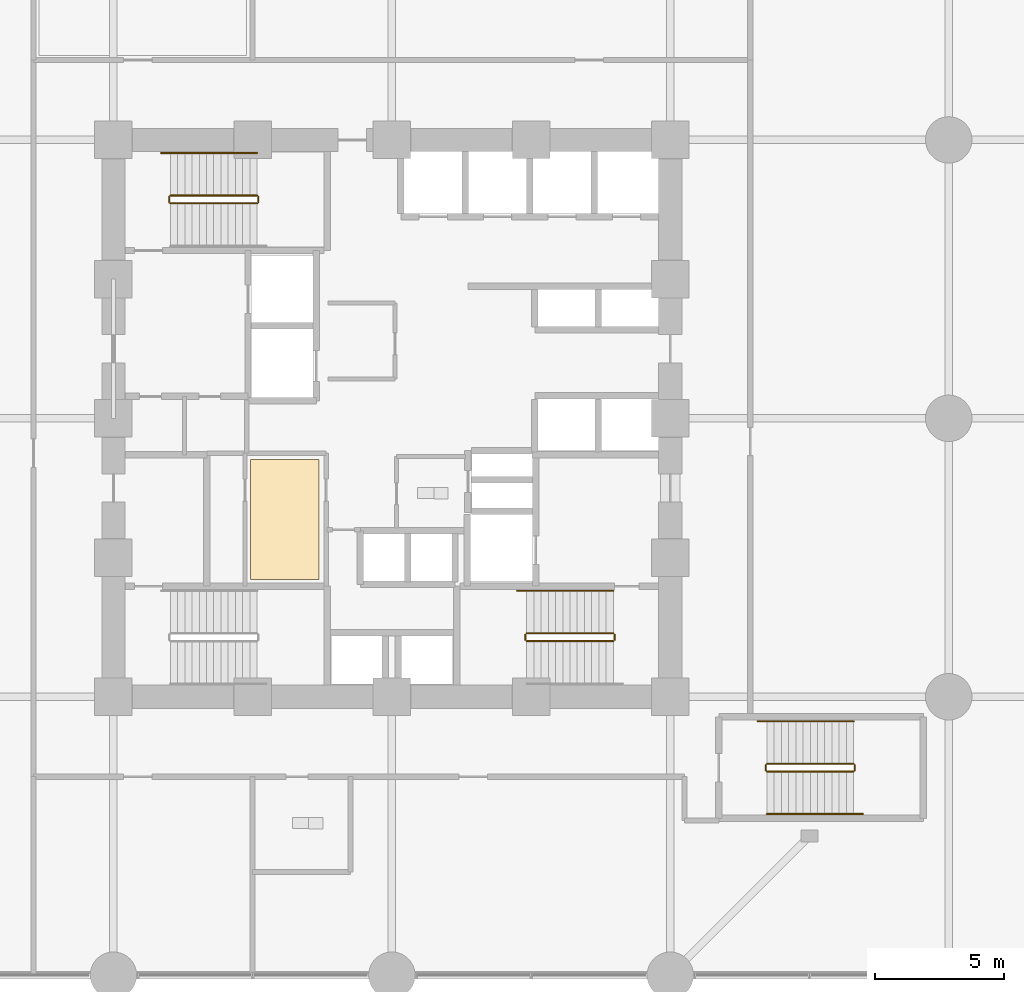
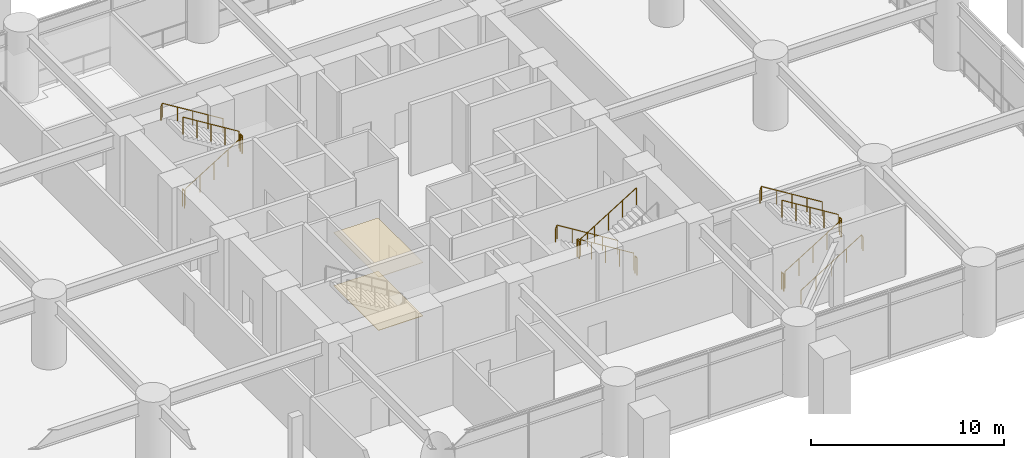
# One storey, part 29 of 31: 16 railings, 2 coverings.
"""IFC4 building model written with IfcOpenShell, lengths in metres."""

import ifcopenshell
import ifcopenshell.guid

model = None  # the IFC model being written
_history = None  # IfcOwnerHistory: only IFC2X3 demands one
_inside = {}  # id of a spatial element -> (the spatial element, [elements in it])
_under = {}  # id of a project, library or spatial element -> (it, [spatial elements below it])
_declared = {}  # id of a project -> (the project, [libraries it declares])
_typed = {}  # id of a type object -> (the type object, [elements of that type])
_made_of = {}  # id of a material, layer set ... -> (it, [elements and type objects made of it])


def new_model(schema):
    """Start an empty IFC model of exactly this schema.

    Asked for "IFC4X3", IfcOpenShell would pick the latest addendum, in which some entities
    have other attributes; the version numbers below select the first issue.
    IFC2X3 requires an IfcOwnerHistory on every rooted entity: one is made here for all.
    """
    global model, _history
    if schema == "IFC4X3":
        model = ifcopenshell.file(schema_version=(4, 3, 0, 0))
    else:
        model = ifcopenshell.file(schema=schema)
    _inside.clear()
    _under.clear()
    _declared.clear()
    _typed.clear()
    _made_of.clear()
    _history = None
    if model.schema == "IFC2X3":
        org = make("IfcOrganization", Name="unknown")
        user = make(
            "IfcPersonAndOrganization",
            ThePerson=make("IfcPerson", FamilyName="unknown"),
            TheOrganization=org,
        )
        app = make(
            "IfcApplication",
            ApplicationDeveloper=org,
            Version="unknown",
            ApplicationFullName="unknown",
            ApplicationIdentifier="unknown",
        )
        _history = make(
            "IfcOwnerHistory",
            OwningUser=user,
            OwningApplication=app,
            ChangeAction="ADDED",
            CreationDate=0,
        )
    return model


def make(cls, **values):
    """One entity of the class cls with the attributes given. An attribute that is None is left unset."""
    return model.create_entity(
        cls, **{name: value for name, value in values.items() if value is not None}
    )


def rooted(cls, **values):
    """An entity with a GlobalId (a new one), such as an element, a storey or a relation."""
    return make(cls, GlobalId=ifcopenshell.guid.new(), OwnerHistory=_history, **values)


def si_unit(unit_type, name, prefix=None):
    """IfcSIUnit, for example si_unit("LENGTHUNIT", "METRE", prefix="MILLI")."""
    return make("IfcSIUnit", UnitType=unit_type, Prefix=prefix, Name=name)


def assignment(units):
    """IfcUnitAssignment: the units of a project."""
    return None if units is None else make("IfcUnitAssignment", Units=units)


def point(xyz):
    """IfcCartesianPoint."""
    return None if xyz is None else make("IfcCartesianPoint", Coordinates=xyz)


def direction(xyz):
    """IfcDirection."""
    return None if xyz is None else make("IfcDirection", DirectionRatios=xyz)


def frame(location, z_axis=None, x_axis=None):
    """IfcAxis2Placement3D, a coordinate frame: its origin and axes. An axis left out is left unset."""
    return make(
        "IfcAxis2Placement3D",
        Location=point(location),
        Axis=direction(z_axis),
        RefDirection=direction(x_axis),
    )


def frame_2d(location, x_axis=None):
    """IfcAxis2Placement2D, a coordinate frame in the plane: its origin and x axis."""
    return make(
        "IfcAxis2Placement2D", Location=point(location), RefDirection=direction(x_axis)
    )


def origin():
    """The frame at (0, 0, 0) with its axes left unset."""
    return frame((0.0, 0.0, 0.0))


def origin_2d():
    """The frame at (0, 0) in the plane with its x axis left unset."""
    return frame_2d((0.0, 0.0))


def place(relative_to, where):
    """IfcLocalPlacement: puts the frame where relative to a parent placement (None: the world)."""
    return make(
        "IfcLocalPlacement", PlacementRelTo=relative_to, RelativePlacement=where
    )


def context(
    kind, dimensions, precision=None, world=None, true_north=None, identifier=None
):
    """IfcGeometricRepresentationContext, for example the 3D "Model" context."""
    return make(
        "IfcGeometricRepresentationContext",
        ContextIdentifier=identifier,
        ContextType=kind,
        CoordinateSpaceDimension=dimensions,
        Precision=precision,
        WorldCoordinateSystem=world,
        TrueNorth=true_north,
    )


def subcontext(parent, identifier, kind, view, scale=None):
    """IfcGeometricRepresentationSubContext, for example "Body" below "Model"."""
    return make(
        "IfcGeometricRepresentationSubContext",
        ContextIdentifier=identifier,
        ContextType=kind,
        ParentContext=parent,
        TargetScale=scale,
        TargetView=view,
    )


def project(units=None, contexts=None):
    """IfcProject with its units and contexts."""
    return rooted(
        "IfcProject",
        Name="project",
        RepresentationContexts=contexts,
        UnitsInContext=assignment(units),
    )


def spatial(cls, under=None, at=None, **own):
    """A site, building, storey or space (cls), placed at a placement, below another one or the project."""
    s = rooted(cls, ObjectPlacement=at, **own)
    if under is not None:
        _under.setdefault(under.id(), (under, []))[1].append(s)
    return s


def polyline(points):
    """IfcPolyline through the points."""
    return make("IfcPolyline", Points=[point(p) for p in points])


def profile(cls, at=None, kind="AREA", **sizes):
    """A parametric profile (cls). Its sizes go by their IFC names, for example OverallWidth=200.0."""
    return make(cls, ProfileType=kind, Position=at, **sizes)


def circle(**sizes):
    """IfcCircleProfileDef."""
    return profile("IfcCircleProfileDef", **sizes)


def outline(outer, holes=None, kind="AREA"):
    """IfcArbitraryClosedProfileDef: a profile drawn as a closed curve; with holes, ...WithVoids."""
    if holes is None:
        return make("IfcArbitraryClosedProfileDef", ProfileType=kind, OuterCurve=outer)
    return make(
        "IfcArbitraryProfileDefWithVoids",
        ProfileType=kind,
        OuterCurve=outer,
        InnerCurves=holes,
    )


def extrude(swept, where, along, depth):
    """IfcExtrudedAreaSolid: the profile swept, set in the frame where, extruded along a direction by depth."""
    return make(
        "IfcExtrudedAreaSolid",
        SweptArea=swept,
        Position=where,
        ExtrudedDirection=direction(along),
        Depth=depth,
    )


def shape(context_of_items, identifier, shape_type, items):
    """IfcShapeRepresentation: the items that make up one representation, for example the "Body"."""
    return make(
        "IfcShapeRepresentation",
        ContextOfItems=context_of_items,
        RepresentationIdentifier=identifier,
        RepresentationType=shape_type,
        Items=items,
    )


def material(Name=None, Category=None):
    """IfcMaterial."""
    return make("IfcMaterial", Name=Name, Category=Category)


def layer(
    of_material, thickness, ventilated=None, Name=None, Category=None, Priority=None
):
    """IfcMaterialLayer: one layer of a wall or slab, of a material (None: an air gap)."""
    return make(
        "IfcMaterialLayer",
        Material=of_material,
        LayerThickness=thickness,
        IsVentilated=ventilated,
        Name=Name,
        Category=Category,
        Priority=Priority,
    )


def layer_set(layers, Name=None):
    """IfcMaterialLayerSet."""
    return make("IfcMaterialLayerSet", MaterialLayers=layers, LayerSetName=Name)


def made_of(thing, what):
    """Note that an element or type object is made of a material, layer set ...; save() writes the relation."""
    if what is not None:
        _made_of.setdefault(what.id(), (what, []))[1].append(thing)
    return thing


def type_object(cls, material=None, **own):
    """A type object (cls), such as IfcWallType, which elements share."""
    return made_of(rooted(cls, **own), material)


def element(
    cls,
    number,
    at=None,
    inside=None,
    cuts=None,
    type_object=None,
    material=None,
    context=None,
    identifier="Body",
    shape_type=None,
    held_by="IfcProductDefinitionShape",
    body=None,
    shapes=None,
    **own,
):
    """One element of the class cls, such as IfcWall. Its Tag is "e" and its number.

    at: its placement. inside: the storey or other place that contains it. cuts: it is an
    opening in that element (IfcRelVoidsElement). A single representation is given by context,
    identifier, shape_type and body (its items); several are given by shapes. held_by: the class
    of the entity that holds the representations. save() writes the other relations.
    """
    e = rooted(cls, Tag="e%d" % number, ObjectPlacement=at, **own)
    if body is not None:
        shapes = [shape(context, identifier, shape_type, body)]
    if shapes is not None:
        e.Representation = make(held_by, Representations=shapes)
    if inside is not None:
        _inside.setdefault(inside.id(), (inside, []))[1].append(e)
    if cuts is not None:
        rooted(
            "IfcRelVoidsElement", RelatingBuildingElement=cuts, RelatedOpeningElement=e
        )
    if type_object is not None:
        _typed.setdefault(type_object.id(), (type_object, []))[1].append(e)
    return made_of(e, material)


def aggregate(whole, parts):
    """IfcRelAggregates: a whole, such as a stair, and the parts it consists of."""
    return rooted("IfcRelAggregates", RelatingObject=whole, RelatedObjects=parts)


def save(model, path):
    """Write the relations noted so far, then the file.

    IfcRelAggregates (storeys below a building ...), IfcRelContainedInSpatialStructure (elements
    in a storey), IfcRelDefinesByType, IfcRelAssociatesMaterial and IfcRelDeclares: one each for
    every whole, place, type object, material and project.
    """
    for whole, parts in _under.values():
        aggregate(whole, parts)
    for where, things in _inside.values():
        rooted(
            "IfcRelContainedInSpatialStructure",
            RelatedElements=things,
            RelatingStructure=where,
        )
    for kind, things in _typed.values():
        rooted("IfcRelDefinesByType", RelatedObjects=things, RelatingType=kind)
    for what, things in _made_of.values():
        rooted("IfcRelAssociatesMaterial", RelatedObjects=things, RelatingMaterial=what)
    for by, libraries in _declared.values():
        rooted("IfcRelDeclares", RelatingContext=by, RelatedDefinitions=libraries)
    model.write(path)


model = new_model("IFC4")

# Units and contexts
model_context = context("Model", 3, precision=1e-05, world=origin(), true_north=direction((0.0, 1.0)))
body_context = subcontext(model_context, "Body", "Model", "MODEL_VIEW")
ifc_project = project(units=[si_unit("LENGTHUNIT", "METRE"), si_unit("AREAUNIT", "SQUARE_METRE"), si_unit("VOLUMEUNIT", "CUBIC_METRE"), si_unit("PLANEANGLEUNIT", "RADIAN"), si_unit("MASSUNIT", "GRAM", prefix="KILO")], contexts=[model_context])

# Site, building, storey
site_placement = place(None, origin())
site = spatial("IfcSite", under=ifc_project, at=site_placement, CompositionType="ELEMENT")
building_placement = place(site_placement, origin())
building = spatial("IfcBuilding", under=site, at=building_placement, Name="Surkhivell Harbour Commons", CompositionType="ELEMENT")
storey_placement = place(building_placement, frame((0.0, 0.0, 4.5)))
storey = spatial("IfcBuildingStorey", under=building, at=storey_placement, Name="L01", CompositionType="ELEMENT", Elevation=4.5)

# Coverings
ifc_material_1 = material(Name="Perforated acoustic mineral-fibre ceiling tile", Category="other")
ifc_layer_1 = layer(ifc_material_1, 0.02490234375)
ifc_layer_set_1 = layer_set([ifc_layer_1], Name="Perforated acoustic mineral-fibre ceiling tile")
covering_type_1 = type_object("IfcCoveringType", Name="COV-CEIL-AC", PredefinedType="CEILING", material=ifc_layer_set_1)
covering_1_placement = place(storey_placement, frame((0.0, 0.0, 3.3740234375)))
element("IfcCovering", 1, at=covering_1_placement, inside=storey, type_object=covering_type_1, Name="L01 Suspended Acoustic Ceiling 1", PredefinedType="CEILING", context=body_context, shape_type="SweptSolid", body=[
    extrude(outline(polyline([(-5.47998046875, -6.260009765625), (-2.820068359375, -6.260009765625), (-2.820068359375, -1.60009765625), (-5.47998046875, -1.60009765625), (-5.47998046875, -6.260009765625)])), origin(), (0.0, 0.0, 1.0), 0.02490234375),
])
ifc_material_2 = material(Name="Honed terrazzo and porcelain floor finish", Category="masonry")
ifc_layer_2 = layer(ifc_material_2, 0.02490234375)
ifc_layer_set_2 = layer_set([ifc_layer_2], Name="Honed terrazzo and porcelain floor finish")
covering_type_2 = type_object("IfcCoveringType", Name="COV-FLR-TER", PredefinedType="FLOORING", material=ifc_layer_set_2)
covering_2_placement = place(storey_placement, origin())
element("IfcCovering", 2, at=covering_2_placement, inside=storey, type_object=covering_type_2, Name="L01 Interior Floor Finish 1", PredefinedType="FLOORING", context=body_context, shape_type="SweptSolid", body=[
    extrude(outline(polyline([(-5.47998046875, -6.260009765625), (-2.820068359375, -6.260009765625), (-2.820068359375, -1.60009765625), (-5.47998046875, -1.60009765625), (-5.47998046875, -6.260009765625)])), origin(), (0.0, 0.0, 1.0), 0.02490234375),
])

# Railings
ifc_material_3 = material(Name="Galvanised and painted steel S355 guard rail", Category="steel")
railing_type_1 = type_object("IfcRailingType", Name="RAL-ST-GRD1100", PredefinedType="GUARDRAIL", material=ifc_material_3)
railing_1_placement = place(storey_placement, frame((-8.590087890625, 8.340087890625, 0.173095703125)))
element("IfcRailing", 3, at=railing_1_placement, inside=storey, type_object=railing_type_1, Name="L01 ST1 stair guard 1", PredefinedType="GUARDRAIL", context=body_context, shape_type="SweptSolid", body=[
    extrude(circle(Radius=0.02392578125, at=origin_2d()), frame((0.0, 0.0, 1.076171875), z_axis=(0.850623216509, 0.0, 0.525775754039), x_axis=(0.0, 1.0, 0.0)), (0.0, 0.0, 1.0), 3.9501953125),
    extrude(circle(Radius=0.02099609375, at=origin_2d()), origin(), (0.0, 0.0, 1.0), 1.052001953125),
    extrude(circle(Radius=0.02099609375, at=origin_2d()), frame((0.840087890625, 0.0, 0.519287109375)), (0.0, 0.0, 1.0), 1.052001953125),
    extrude(circle(Radius=0.02099609375, at=origin_2d()), frame((1.68017578125, 0.0, 1.03857421875)), (0.0, 0.0, 1.0), 1.052001953125),
    extrude(circle(Radius=0.02099609375, at=origin_2d()), frame((2.52001953125, 0.0, 1.5576171875)), (0.0, 0.0, 1.0), 1.052001953125),
    extrude(circle(Radius=0.02099609375, at=origin_2d()), frame((3.360107421875, 0.0, 2.076904296875)), (0.0, 0.0, 1.0), 1.052001953125),
])
railing_2_placement = place(storey_placement, frame((-5.179931640625, 8.389892578125, 2.25)))
element("IfcRailing", 4, at=railing_2_placement, inside=storey, type_object=railing_type_1, Name="L01 ST1 stair guard 2", PredefinedType="GUARDRAIL", context=body_context, shape_type="SweptSolid", body=[
    extrude(circle(Radius=0.02392578125, at=origin_2d()), frame((0.0, 0.0, 1.076171875), z_axis=(0.0, 1.0, 0.0), x_axis=(-1.0, 0.0, 0.0)), (0.0, 0.0, 1.0), 0.2001953125),
    extrude(circle(Radius=0.02099609375, at=origin_2d()), origin(), (0.0, 0.0, 1.0), 1.052001953125),
    extrude(circle(Radius=0.02099609375, at=origin_2d()), frame((0.0, 0.2001953125, 0.0)), (0.0, 0.0, 1.0), 1.052001953125),
])
railing_3_placement = place(storey_placement, frame((-5.22998046875, 8.639892578125, 2.423095703125)))
element("IfcRailing", 5, at=railing_3_placement, inside=storey, type_object=railing_type_1, Name="L01 ST1 stair guard 3", PredefinedType="GUARDRAIL", context=body_context, shape_type="SweptSolid", body=[
    extrude(circle(Radius=0.02392578125, at=origin_2d()), frame((0.0, 0.0, 1.076171875), z_axis=(-0.850623216509, 0.0, 0.525775754039), x_axis=(0.0, -1.0, 0.0)), (0.0, 0.0, 1.0), 3.9501953125),
    extrude(circle(Radius=0.02099609375, at=origin_2d()), origin(), (0.0, 0.0, 1.0), 1.052001953125),
    extrude(circle(Radius=0.02099609375, at=origin_2d()), frame((-0.840087890625, 0.0, 0.519287109375)), (0.0, 0.0, 1.0), 1.052001953125),
    extrude(circle(Radius=0.02099609375, at=origin_2d()), frame((-1.68017578125, 0.0, 1.03857421875)), (0.0, 0.0, 1.0), 1.052001953125),
    extrude(circle(Radius=0.02099609375, at=origin_2d()), frame((-2.52001953125, 0.0, 1.5576171875)), (0.0, 0.0, 1.0), 1.052001953125),
    extrude(circle(Radius=0.02099609375, at=origin_2d()), frame((-3.360107421875, 0.0, 2.076904296875)), (0.0, 0.0, 1.0), 1.052001953125),
])
railing_4_placement = place(storey_placement, frame((-8.639892578125, 8.389892578125, 0.0)))
element("IfcRailing", 6, at=railing_4_placement, inside=storey, type_object=railing_type_1, Name="L01 ST1 stair guard 4", PredefinedType="GUARDRAIL", context=body_context, shape_type="SweptSolid", body=[
    extrude(circle(Radius=0.02392578125, at=origin_2d()), frame((0.0, 0.0, 1.076171875), z_axis=(0.0, 1.0, 0.0), x_axis=(-1.0, 0.0, 0.0)), (0.0, 0.0, 1.0), 0.2001953125),
    extrude(circle(Radius=0.02099609375, at=origin_2d()), origin(), (0.0, 0.0, 1.0), 1.052001953125),
    extrude(circle(Radius=0.02099609375, at=origin_2d()), frame((0.0, 0.2001953125, 0.0)), (0.0, 0.0, 1.0), 1.052001953125),
])
railing_5_placement = place(storey_placement, frame((8.590087890625, -8.340087890625, 0.173095703125)))
element("IfcRailing", 7, at=railing_5_placement, inside=storey, type_object=railing_type_1, Name="L01 ST2 stair guard 1", PredefinedType="GUARDRAIL", context=body_context, shape_type="SweptSolid", body=[
    extrude(circle(Radius=0.02392578125, at=origin_2d()), frame((0.0, 0.0, 1.076171875), z_axis=(-0.850623216509, 0.0, 0.525775754039), x_axis=(0.0, -1.0, 0.0)), (0.0, 0.0, 1.0), 3.9501953125),
    extrude(circle(Radius=0.02099609375, at=origin_2d()), origin(), (0.0, 0.0, 1.0), 1.052001953125),
    extrude(circle(Radius=0.02099609375, at=origin_2d()), frame((-0.840087890625, 0.0, 0.519287109375)), (0.0, 0.0, 1.0), 1.052001953125),
    extrude(circle(Radius=0.02099609375, at=origin_2d()), frame((-1.68017578125, 0.0, 1.03857421875)), (0.0, 0.0, 1.0), 1.052001953125),
    extrude(circle(Radius=0.02099609375, at=origin_2d()), frame((-2.52001953125, 0.0, 1.5576171875)), (0.0, 0.0, 1.0), 1.052001953125),
    extrude(circle(Radius=0.02099609375, at=origin_2d()), frame((-3.360107421875, 0.0, 2.076904296875)), (0.0, 0.0, 1.0), 1.052001953125),
])
railing_6_placement = place(storey_placement, frame((5.179931640625, -8.389892578125, 2.25)))
element("IfcRailing", 8, at=railing_6_placement, inside=storey, type_object=railing_type_1, Name="L01 ST2 stair guard 2", PredefinedType="GUARDRAIL", context=body_context, shape_type="SweptSolid", body=[
    extrude(circle(Radius=0.02392578125, at=origin_2d()), frame((0.0, 0.0, 1.076171875), z_axis=(0.0, -1.0, 0.0), x_axis=(1.0, 0.0, 0.0)), (0.0, 0.0, 1.0), 0.2001953125),
    extrude(circle(Radius=0.02099609375, at=origin_2d()), origin(), (0.0, 0.0, 1.0), 1.052001953125),
    extrude(circle(Radius=0.02099609375, at=origin_2d()), frame((0.0, -0.2001953125, 0.0)), (0.0, 0.0, 1.0), 1.052001953125),
])
railing_7_placement = place(storey_placement, frame((5.22998046875, -8.639892578125, 2.423095703125)))
element("IfcRailing", 9, at=railing_7_placement, inside=storey, type_object=railing_type_1, Name="L01 ST2 stair guard 3", PredefinedType="GUARDRAIL", context=body_context, shape_type="SweptSolid", body=[
    extrude(circle(Radius=0.02392578125, at=origin_2d()), frame((0.0, 0.0, 1.076171875), z_axis=(0.850623216509, 0.0, 0.525775754039), x_axis=(0.0, 1.0, 0.0)), (0.0, 0.0, 1.0), 3.9501953125),
    extrude(circle(Radius=0.02099609375, at=origin_2d()), origin(), (0.0, 0.0, 1.0), 1.052001953125),
    extrude(circle(Radius=0.02099609375, at=origin_2d()), frame((0.840087890625, 0.0, 0.519287109375)), (0.0, 0.0, 1.0), 1.052001953125),
    extrude(circle(Radius=0.02099609375, at=origin_2d()), frame((1.68017578125, 0.0, 1.03857421875)), (0.0, 0.0, 1.0), 1.052001953125),
    extrude(circle(Radius=0.02099609375, at=origin_2d()), frame((2.52001953125, 0.0, 1.5576171875)), (0.0, 0.0, 1.0), 1.052001953125),
    extrude(circle(Radius=0.02099609375, at=origin_2d()), frame((3.360107421875, 0.0, 2.076904296875)), (0.0, 0.0, 1.0), 1.052001953125),
])
railing_8_placement = place(storey_placement, frame((8.639892578125, -8.389892578125, 0.0)))
element("IfcRailing", 10, at=railing_8_placement, inside=storey, type_object=railing_type_1, Name="L01 ST2 stair guard 4", PredefinedType="GUARDRAIL", context=body_context, shape_type="SweptSolid", body=[
    extrude(circle(Radius=0.02392578125, at=origin_2d()), frame((0.0, 0.0, 1.076171875), z_axis=(0.0, -1.0, 0.0), x_axis=(1.0, 0.0, 0.0)), (0.0, 0.0, 1.0), 0.2001953125),
    extrude(circle(Radius=0.02099609375, at=origin_2d()), origin(), (0.0, 0.0, 1.0), 1.052001953125),
    extrude(circle(Radius=0.02099609375, at=origin_2d()), frame((0.0, -0.2001953125, 0.0)), (0.0, 0.0, 1.0), 1.052001953125),
])
railing_9_placement = place(storey_placement, frame((14.550048828125, -13.699951171875, 0.173095703125)))
element("IfcRailing", 11, at=railing_9_placement, inside=storey, type_object=railing_type_1, Name="L01 ST4 stair guard 1", PredefinedType="GUARDRAIL", context=body_context, shape_type="SweptSolid", body=[
    extrude(circle(Radius=0.02392578125, at=origin_2d()), frame((0.0, 0.0, 1.076171875), z_axis=(0.850606129759, 0.0, 0.525803396734), x_axis=(0.0, 1.0, 0.0)), (0.0, 0.0, 1.0), 3.949951171875),
    extrude(circle(Radius=0.02099609375, at=origin_2d()), origin(), (0.0, 0.0, 1.0), 1.052001953125),
    extrude(circle(Radius=0.02099609375, at=origin_2d()), frame((0.83984375, 0.0, 0.519287109375)), (0.0, 0.0, 1.0), 1.052001953125),
    extrude(circle(Radius=0.02099609375, at=origin_2d()), frame((1.679931640625, 0.0, 1.03857421875)), (0.0, 0.0, 1.0), 1.052001953125),
    extrude(circle(Radius=0.02099609375, at=origin_2d()), frame((2.52001953125, 0.0, 1.5576171875)), (0.0, 0.0, 1.0), 1.052001953125),
    extrude(circle(Radius=0.02099609375, at=origin_2d()), frame((3.35986328125, 0.0, 2.076904296875)), (0.0, 0.0, 1.0), 1.052001953125),
])
railing_10_placement = place(storey_placement, frame((17.9599609375, -13.64990234375, 2.25)))
element("IfcRailing", 12, at=railing_10_placement, inside=storey, type_object=railing_type_1, Name="L01 ST4 stair guard 2", PredefinedType="GUARDRAIL", context=body_context, shape_type="SweptSolid", body=[
    extrude(circle(Radius=0.02392578125, at=origin_2d()), frame((0.0, 0.0, 1.076171875), z_axis=(0.0, 1.0, 0.0), x_axis=(-1.0, 0.0, 0.0)), (0.0, 0.0, 1.0), 0.199951171875),
    extrude(circle(Radius=0.02099609375, at=origin_2d()), origin(), (0.0, 0.0, 1.0), 1.052001953125),
    extrude(circle(Radius=0.02099609375, at=origin_2d()), frame((0.0, 0.199951171875, 0.0)), (0.0, 0.0, 1.0), 1.052001953125),
])
railing_11_placement = place(storey_placement, frame((17.909912109375, -13.39990234375, 2.423095703125)))
element("IfcRailing", 13, at=railing_11_placement, inside=storey, type_object=railing_type_1, Name="L01 ST4 stair guard 3", PredefinedType="GUARDRAIL", context=body_context, shape_type="SweptSolid", body=[
    extrude(circle(Radius=0.02392578125, at=origin_2d()), frame((0.0, 0.0, 1.076171875), z_axis=(-0.850606129759, 0.0, 0.525803396734), x_axis=(0.0, -1.0, 0.0)), (0.0, 0.0, 1.0), 3.949951171875),
    extrude(circle(Radius=0.02099609375, at=origin_2d()), origin(), (0.0, 0.0, 1.0), 1.052001953125),
    extrude(circle(Radius=0.02099609375, at=origin_2d()), frame((-0.83984375, 0.0, 0.519287109375)), (0.0, 0.0, 1.0), 1.052001953125),
    extrude(circle(Radius=0.02099609375, at=origin_2d()), frame((-1.679931640625, 0.0, 1.03857421875)), (0.0, 0.0, 1.0), 1.052001953125),
    extrude(circle(Radius=0.02099609375, at=origin_2d()), frame((-2.52001953125, 0.0, 1.5576171875)), (0.0, 0.0, 1.0), 1.052001953125),
    extrude(circle(Radius=0.02099609375, at=origin_2d()), frame((-3.35986328125, 0.0, 2.076904296875)), (0.0, 0.0, 1.0), 1.052001953125),
])
railing_12_placement = place(storey_placement, frame((14.5, -13.64990234375, 0.0)))
element("IfcRailing", 14, at=railing_12_placement, inside=storey, type_object=railing_type_1, Name="L01 ST4 stair guard 4", PredefinedType="GUARDRAIL", context=body_context, shape_type="SweptSolid", body=[
    extrude(circle(Radius=0.02392578125, at=origin_2d()), frame((0.0, 0.0, 1.076171875), z_axis=(0.0, 1.0, 0.0), x_axis=(-1.0, 0.0, 0.0)), (0.0, 0.0, 1.0), 0.199951171875),
    extrude(circle(Radius=0.02099609375, at=origin_2d()), origin(), (0.0, 0.0, 1.0), 1.052001953125),
    extrude(circle(Radius=0.02099609375, at=origin_2d()), frame((0.0, 0.199951171875, 0.0)), (0.0, 0.0, 1.0), 1.052001953125),
])
ifc_material_4 = material(Name="Brushed stainless steel S355 handrail", Category="steel")
railing_type_2 = type_object("IfcRailingType", Name="RAL-ST-HND900", PredefinedType="HANDRAIL", material=ifc_material_4)
for number, where, name in (
    (15, (-5.22998046875, 10.2900390625, 2.423095703125), "L01 ST1 stair handrail 2"),
    (16, (8.590087890625, -6.68994140625, 0.173095703125), "L01 ST2 stair handrail 1"),
):
    element("IfcRailing", number, at=place(storey_placement, frame(where)), inside=storey, type_object=railing_type_2, Name=name, PredefinedType="HANDRAIL", context=body_context, shape_type="SweptSolid", body=[
        extrude(circle(Radius=0.02392578125, at=origin_2d()), frame((0.0, 0.0, 0.8759765625), z_axis=(-0.850622404505, 0.0, 0.525777067734), x_axis=(0.0, -1.0, 0.0)), (0.0, 0.0, 1.0), 4.279296875),
        extrude(circle(Radius=0.02392578125, at=origin_2d()), frame((-3.64013671875, 0.0, 3.1259765625), z_axis=(-0.418814502111, 0.0, -0.908071810388), x_axis=(0.0, -1.0, 0.0)), (0.0, 0.0, 1.0), 0.190673828125),
        extrude(circle(Radius=0.02099609375, at=origin_2d()), origin(), (0.0, 0.0, 1.0), 0.851806640625),
        extrude(circle(Radius=0.02099609375, at=origin_2d()), frame((-0.91015625, 0.0, 0.5625)), (0.0, 0.0, 1.0), 0.851806640625),
        extrude(circle(Radius=0.02099609375, at=origin_2d()), frame((-1.820068359375, 0.0, 1.125)), (0.0, 0.0, 1.0), 0.851806640625),
        extrude(circle(Radius=0.02099609375, at=origin_2d()), frame((-2.72998046875, 0.0, 1.6875)), (0.0, 0.0, 1.0), 0.851806640625),
        extrude(circle(Radius=0.02099609375, at=origin_2d()), frame((-3.64013671875, 0.0, 2.25)), (0.0, 0.0, 1.0), 0.851806640625),
        extrude(circle(Radius=0.02099609375, at=origin_2d()), frame((-3.719970703125, 0.0, 2.076904296875)), (0.0, 0.0, 1.0), 0.851806640625),
    ])
railing_13_placement = place(storey_placement, frame((14.550048828125, -15.35009765625, 0.173095703125)))
element("IfcRailing", 17, at=railing_13_placement, inside=storey, type_object=railing_type_2, Name="L01 ST4 stair handrail 1", PredefinedType="HANDRAIL", context=body_context, shape_type="SweptSolid", body=[
    extrude(circle(Radius=0.02392578125, at=origin_2d()), frame((0.0, 0.0, 0.8759765625), z_axis=(0.850606632239, 0.0, 0.525802583857), x_axis=(0.0, 1.0, 0.0)), (0.0, 0.0, 1.0), 4.279052734375),
    extrude(circle(Radius=0.02392578125, at=origin_2d()), frame((3.639892578125, 0.0, 3.1259765625), z_axis=(0.419869774861, 0.0, -0.907584360904), x_axis=(0.0, 1.0, 0.0)), (0.0, 0.0, 1.0), 0.190673828125),
    extrude(circle(Radius=0.02099609375, at=origin_2d()), origin(), (0.0, 0.0, 1.0), 0.851806640625),
    extrude(circle(Radius=0.02099609375, at=origin_2d()), frame((0.909912109375, 0.0, 0.5625)), (0.0, 0.0, 1.0), 0.851806640625),
    extrude(circle(Radius=0.02099609375, at=origin_2d()), frame((1.81982421875, 0.0, 1.125)), (0.0, 0.0, 1.0), 0.851806640625),
    extrude(circle(Radius=0.02099609375, at=origin_2d()), frame((2.72998046875, 0.0, 1.6875)), (0.0, 0.0, 1.0), 0.851806640625),
    extrude(circle(Radius=0.02099609375, at=origin_2d()), frame((3.639892578125, 0.0, 2.25)), (0.0, 0.0, 1.0), 0.851806640625),
    extrude(circle(Radius=0.02099609375, at=origin_2d()), frame((3.719970703125, 0.0, 2.076904296875)), (0.0, 0.0, 1.0), 0.851806640625),
])
railing_14_placement = place(storey_placement, frame((17.909912109375, -11.75, 2.423095703125)))
element("IfcRailing", 18, at=railing_14_placement, inside=storey, type_object=railing_type_2, Name="L01 ST4 stair handrail 2", PredefinedType="HANDRAIL", context=body_context, shape_type="SweptSolid", body=[
    extrude(circle(Radius=0.02392578125, at=origin_2d()), frame((0.0, 0.0, 0.8759765625), z_axis=(-0.850606632239, 0.0, 0.525802583857), x_axis=(0.0, -1.0, 0.0)), (0.0, 0.0, 1.0), 4.279052734375),
    extrude(circle(Radius=0.02392578125, at=origin_2d()), frame((-3.639892578125, 0.0, 3.1259765625), z_axis=(-0.419869774861, 0.0, -0.907584360904), x_axis=(0.0, -1.0, 0.0)), (0.0, 0.0, 1.0), 0.190673828125),
    extrude(circle(Radius=0.02099609375, at=origin_2d()), origin(), (0.0, 0.0, 1.0), 0.851806640625),
    extrude(circle(Radius=0.02099609375, at=origin_2d()), frame((-0.909912109375, 0.0, 0.5625)), (0.0, 0.0, 1.0), 0.851806640625),
    extrude(circle(Radius=0.02099609375, at=origin_2d()), frame((-1.81982421875, 0.0, 1.125)), (0.0, 0.0, 1.0), 0.851806640625),
    extrude(circle(Radius=0.02099609375, at=origin_2d()), frame((-2.72998046875, 0.0, 1.6875)), (0.0, 0.0, 1.0), 0.851806640625),
    extrude(circle(Radius=0.02099609375, at=origin_2d()), frame((-3.639892578125, 0.0, 2.25)), (0.0, 0.0, 1.0), 0.851806640625),
    extrude(circle(Radius=0.02099609375, at=origin_2d()), frame((-3.719970703125, 0.0, 2.076904296875)), (0.0, 0.0, 1.0), 0.851806640625),
])

save(model, "model.ifc")
